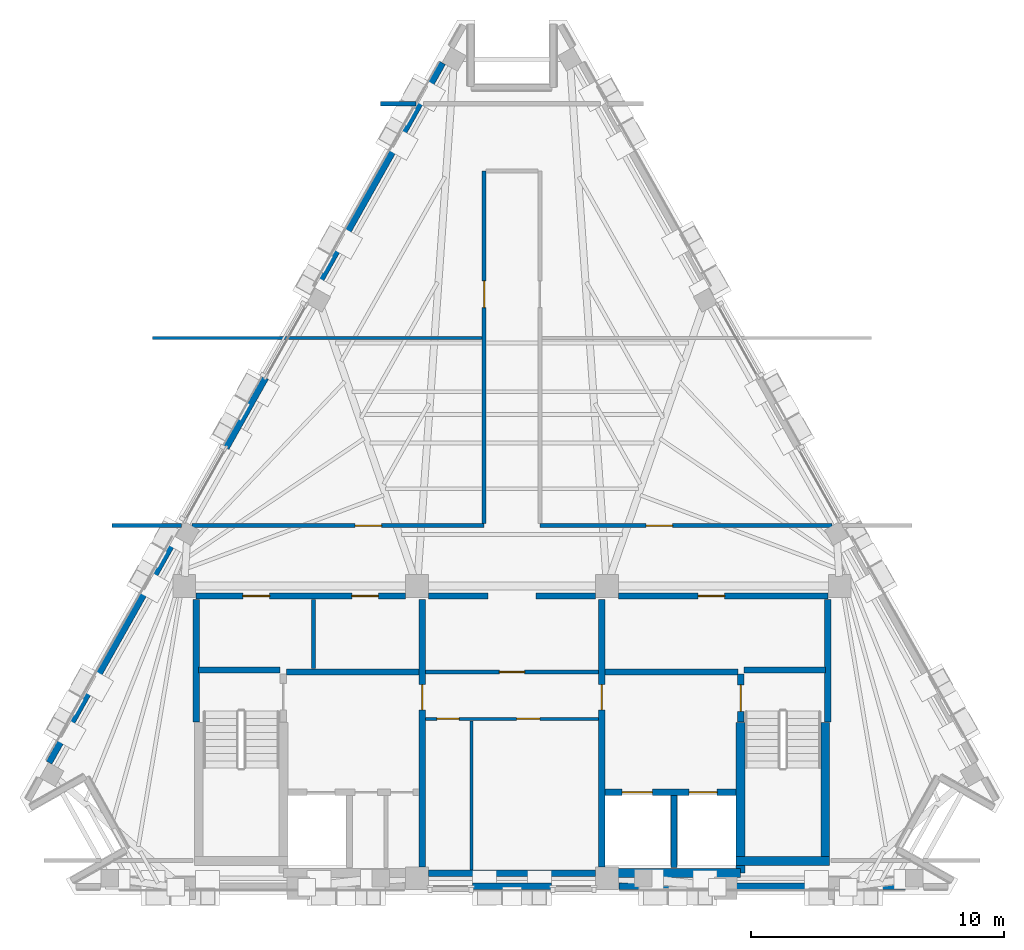
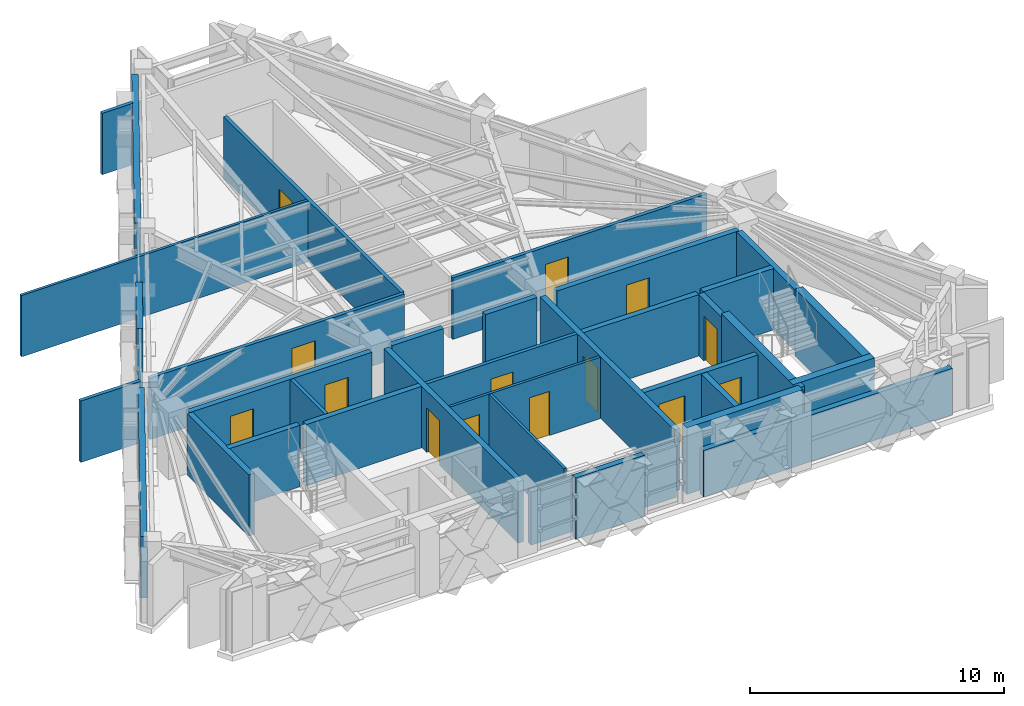
# One storey, part 5 of 8: 35 walls, 14 doors, 14 openings.
"""IFC4 building model written with IfcOpenShell, lengths in metres."""

from ifc_helpers import new_model, si_unit, direction, frame, frame_2d, origin, place, context, subcontext, project, spatial, rectangle, extrude, material, layer, layer_set, type_object, element, fill, save


model = new_model("IFC4")

# Units and contexts
model_context = context("Model", 3, precision=1e-05, world=origin(), true_north=direction((0.0, 1.0)))
body_context = subcontext(model_context, "Body", "Model", "MODEL_VIEW")
ifc_project = project(units=[si_unit("LENGTHUNIT", "METRE"), si_unit("AREAUNIT", "SQUARE_METRE"), si_unit("VOLUMEUNIT", "CUBIC_METRE"), si_unit("PLANEANGLEUNIT", "RADIAN"), si_unit("MASSUNIT", "GRAM", prefix="KILO")], contexts=[model_context])

# Site, building, storey
site_placement = place(None, origin())
site = spatial("IfcSite", under=ifc_project, at=site_placement, CompositionType="ELEMENT")
building_placement = place(site_placement, origin())
building = spatial("IfcBuilding", under=site, at=building_placement, Name="Quenlor Broadcast Tower", CompositionType="ELEMENT")
storey_placement = place(building_placement, frame((0.0, 0.0, 283.699951171875)))
storey = spatial("IfcBuildingStorey", under=building, at=storey_placement, Name="L79", CompositionType="ELEMENT", Elevation=283.699951171875)

# Walls
ifc_material_1 = material(Name="Concrete C50/60", Category="concrete")
ifc_layer_1 = layer(ifc_material_1, 0.35009765625)
ifc_layer_set_1 = layer_set([ifc_layer_1], Name="Core Concrete C50/60 Shear Wall 350")
wall_type_1 = type_object("IfcWallType", Name="Core Concrete C50/60 Shear Wall 350", PredefinedType="SHEAR", material=ifc_layer_set_1)
wall_1_placement = place(storey_placement, frame((3.75, -16.14990234375, 0.0), z_axis=(0.0, 0.0, 1.0), x_axis=(1.0, 0.0, 0.0)))
element("IfcWall", 1, at=wall_1_placement, inside=storey, type_object=wall_type_1, Name="L79 Core Shear Wall WS-E1", PredefinedType="SHEAR", context=body_context, shape_type="SweptSolid", body=[
    extrude(rectangle(XDim=5.27490234375, YDim=0.35009765625, at=frame_2d((2.637451171875, 0.0))), origin(), (0.0, 0.0, 1.0), 3.199951171875),
])
wall_2_placement = place(storey_placement, frame((8.85009765625, -15.675048828125, 0.0), z_axis=(0.0, 0.0, 1.0), x_axis=(1.0, 0.0, 0.0)))
element("IfcWall", 2, at=wall_2_placement, inside=storey, type_object=wall_type_1, Name="L79 Core Shear Wall WS-E2", PredefinedType="SHEAR", context=body_context, shape_type="SweptSolid", body=[
    extrude(rectangle(XDim=3.699951171875, YDim=0.35009765625, at=frame_2d((1.85009765625, 0.0))), origin(), (0.0, 0.0, 1.0), 3.199951171875),
])
wall_3_placement = place(storey_placement, frame((12.375, -15.675048828125, 0.0), z_axis=(0.0, 0.0, 1.0), x_axis=(0.0, 1.0, 0.0)))
element("IfcWall", 3, at=wall_3_placement, inside=storey, type_object=wall_type_1, Name="L79 Core Shear Wall WF-E", PredefinedType="SHEAR", context=body_context, shape_type="SweptSolid", body=[
    extrude(rectangle(XDim=5.47509765625, YDim=0.35009765625, at=frame_2d((2.737548828125, 0.0))), origin(), (0.0, 0.0, 1.0), 3.199951171875),
])
wall_4_placement = place(storey_placement, frame((9.02490234375, -16.14990234375, 0.0), z_axis=(0.0, 0.0, 1.0), x_axis=(0.0, 1.0, 0.0)))
element("IfcWall", 4, at=wall_4_placement, inside=storey, type_object=wall_type_1, Name="L79 Core Shear Wall WI-E", PredefinedType="SHEAR", context=body_context, shape_type="SweptSolid", body=[
    extrude(rectangle(XDim=5.949951171875, YDim=0.35009765625, at=frame_2d((2.97509765625, 0.0))), origin(), (0.0, 0.0, 1.0), 3.199951171875),
])

# Wall, opening, door
ifc_material_2 = material(Name="Concrete C40/50", Category="concrete")
ifc_layer_2 = layer(ifc_material_2, 0.25)
ifc_layer_set_2 = layer_set([ifc_layer_2], Name="Fire Rated Concrete C40/50 Core Wall 250")
wall_type_2 = type_object("IfcWallType", Name="Fire Rated Concrete C40/50 Core Wall 250", PredefinedType="PARTITIONING", material=ifc_layer_set_2)
wall_5_placement = place(storey_placement, frame((9.0400390625, -10.179931640625, 0.0), z_axis=(0.0, 0.0, 1.0), x_axis=(0.0, 1.0, 0.0)))
wall_5 = element("IfcWall", 5, at=wall_5_placement, inside=storey, type_object=wall_type_2, Name="L79 Interior Wall CW-ST2-DR", PredefinedType="PARTITIONING", context=body_context, shape_type="SweptSolid", body=[
    extrude(rectangle(XDim=1.89990234375, YDim=0.25, at=frame_2d((0.949951171875, 0.0))), origin(), (0.0, 0.0, 1.0), 2.949951171875),
])
opening_1_placement = place(wall_5_placement, frame((0.419921875, 0.0, 0.0)))
opening_1 = element("IfcOpeningElement", 6, at=opening_1_placement, cuts=wall_5, Name="Opening FD-1", PredefinedType="OPENING", context=body_context, shape_type="SweptSolid", body=[
    extrude(rectangle(XDim=1.050048828125, YDim=2.14990234375, at=frame_2d((0.52490234375, 1.074951171875))), frame((0.0, 0.135009765625, 0.0), z_axis=(0.0, -1.0, 0.0), x_axis=(1.0, 0.0, 0.0)), (0.0, 0.0, 1.0), 0.27001953125),
])
ifc_material_3 = material(Name="Fire Rated Steel Door Leaf", Category="steel")
door_type_1 = type_object("IfcDoorType", Name="Fire Isolated Stair Door 1050x2150", OperationType="NOTDEFINED", PredefinedType="DOOR", material=ifc_material_3)
door_1_placement = place(opening_1_placement, origin())
door_1 = element("IfcDoor", 7, at=door_1_placement, inside=storey, type_object=door_type_1, Name="L79 Door DR-ST2", OperationType="SINGLE_SWING_RIGHT", OverallHeight=2.14990234375, OverallWidth=1.050048828125, PredefinedType="DOOR", context=body_context, shape_type="SweptSolid", body=[
    extrude(rectangle(XDim=1.050048828125, YDim=2.14990234375, at=frame_2d((0.52490234375, 1.074951171875))), frame((0.0, 0.02490234375, 0.0), z_axis=(0.0, -1.0, 0.0), x_axis=(1.0, 0.0, 0.0)), (0.0, 0.0, 1.0), 0.050048828125),
])
fill(opening_1, door_1)

# Walls
for number, where, z_axis, x_axis, name in (
    (8, (-12.3798828125, -8.1201171875, 0.0), (0.0, 0.0, 1.0), (1.0, 0.0, 0.0), "L79 Interior Wall CW-ST1-N"),
    (9, (9.159912109375, -8.1201171875, 0.0), (0.0, 0.0, 1.0), (1.0, 0.0, 0.0), "L79 Interior Wall CW-ST2-N"),
):
    element("IfcWall", number, at=place(storey_placement, frame(where, z_axis=z_axis, x_axis=x_axis)), inside=storey, type_object=wall_type_2, Name=name, PredefinedType="PARTITIONING", context=body_context, shape_type="SweptSolid", body=[
        extrude(rectangle(XDim=3.219970703125, YDim=0.25, at=frame_2d((1.60986328125, 0.0))), origin(), (0.0, 0.0, 1.0), 2.949951171875),
    ])
for number, where, z_axis, x_axis, name in (
    (10, (-12.47998046875, -10.179931640625, 0.0), (0.0, 0.0, 1.0), (0.0, 1.0, 0.0), "L79 Interior Wall CW-ST1-W2"),
    (11, (12.47998046875, -10.179931640625, 0.0), (0.0, 0.0, 1.0), (0.0, 1.0, 0.0), "L79 Interior Wall CW-ST2-E2"),
):
    element("IfcWall", number, at=place(storey_placement, frame(where, z_axis=z_axis, x_axis=x_axis)), inside=storey, type_object=wall_type_2, Name=name, PredefinedType="PARTITIONING", context=body_context, shape_type="SweptSolid", body=[
        extrude(rectangle(XDim=4.83984375, YDim=0.25, at=frame_2d((2.419921875, 0.0))), origin(), (0.0, 0.0, 1.0), 2.949951171875),
    ])

# Wall, openings, doors
wall_6_placement = place(storey_placement, frame((3.679931640625, -12.949951171875, 0.0), z_axis=(0.0, 0.0, 1.0), x_axis=(1.0, 0.0, 0.0)))
wall_6 = element("IfcWall", 12, at=wall_6_placement, inside=storey, type_object=wall_type_2, Name="L79 Interior Wall CW-FFE-S", PredefinedType="PARTITIONING", context=body_context, shape_type="SweptSolid", body=[
    extrude(rectangle(XDim=5.16796875, YDim=0.25, at=frame_2d((2.583984375, 0.0))), origin(), (0.0, 0.0, 1.0), 2.949951171875),
])
opening_2_placement = place(wall_6_placement, frame((3.320068359375, 0.0, 0.0)))
opening_2 = element("IfcOpeningElement", 13, at=opening_2_placement, cuts=wall_6, Name="Opening LD-FFL-2", PredefinedType="OPENING", context=body_context, shape_type="SweptSolid", body=[
    extrude(rectangle(XDim=1.10009765625, YDim=2.14990234375, at=frame_2d((0.550048828125, 1.074951171875))), frame((0.0, 0.135009765625, 0.0), z_axis=(0.0, -1.0, 0.0), x_axis=(1.0, 0.0, 0.0)), (0.0, 0.0, 1.0), 0.27001953125),
])
opening_3_placement = place(wall_6_placement, frame((0.669921875, 0.0, 0.0)))
opening_3 = element("IfcOpeningElement", 14, at=opening_3_placement, cuts=wall_6, Name="Opening LD-SVL-1", PredefinedType="OPENING", context=body_context, shape_type="SweptSolid", body=[
    extrude(rectangle(XDim=1.199951171875, YDim=2.14990234375, at=frame_2d((0.60009765625, 1.074951171875))), frame((0.0, 0.135009765625, 0.0), z_axis=(0.0, -1.0, 0.0), x_axis=(1.0, 0.0, 0.0)), (0.0, 0.0, 1.0), 0.27001953125),
])
ifc_material_4 = material(Name="Brushed Stainless Steel", Category="steel")
door_type_2 = type_object("IfcDoorType", Name="Emergency Lift Sliding Landing Door 1100x2150", OperationType="NOTDEFINED", PredefinedType="DOOR", material=ifc_material_4)
door_2_placement = place(opening_2_placement, origin())
door_2 = element("IfcDoor", 15, at=door_2_placement, inside=storey, type_object=door_type_2, Name="L79 Door LD-FFL-2", OperationType="SLIDING_TO_RIGHT", OverallHeight=2.14990234375, OverallWidth=1.10009765625, PredefinedType="DOOR", context=body_context, shape_type="SweptSolid", body=[
    extrude(rectangle(XDim=1.10009765625, YDim=2.14990234375, at=frame_2d((0.550048828125, 1.074951171875))), frame((0.0, 0.02490234375, 0.0), z_axis=(0.0, -1.0, 0.0), x_axis=(1.0, 0.0, 0.0)), (0.0, 0.0, 1.0), 0.050048828125),
])
fill(opening_2, door_2)
ifc_material_5 = material(Name="Brushed Stainless Steel", Category="steel")
door_type_3 = type_object("IfcDoorType", Name="Goods Lift Sliding Landing Door 1200x2150", OperationType="NOTDEFINED", PredefinedType="DOOR", material=ifc_material_5)
door_3_placement = place(opening_3_placement, origin())
door_3 = element("IfcDoor", 16, at=door_3_placement, inside=storey, type_object=door_type_3, Name="L79 Door LD-SVL-1", OperationType="SLIDING_TO_LEFT", OverallHeight=2.14990234375, OverallWidth=1.199951171875, PredefinedType="DOOR", context=body_context, shape_type="SweptSolid", body=[
    extrude(rectangle(XDim=1.199951171875, YDim=2.14990234375, at=frame_2d((0.60009765625, 1.074951171875))), frame((0.0, 0.02490234375, 0.0), z_axis=(0.0, -1.0, 0.0), x_axis=(1.0, 0.0, 0.0)), (0.0, 0.0, 1.0), 0.050048828125),
])
fill(opening_3, door_3)

# Walls
wall_7_placement = place(storey_placement, frame((6.39990234375, -15.919921875, 0.0), z_axis=(0.0, 0.0, 1.0), x_axis=(0.0, 1.0, 0.0)))
element("IfcWall", 17, at=wall_7_placement, inside=storey, type_object=wall_type_2, Name="L79 Interior Wall CW-SV1-E", PredefinedType="PARTITIONING", context=body_context, shape_type="SweptSolid", body=[
    extrude(rectangle(XDim=2.829833984375, YDim=0.25, at=frame_2d((1.4150390625, 0.0))), origin(), (0.0, 0.0, 1.0), 2.949951171875),
])
for number, where, z_axis, x_axis, name in (
    (18, (-8.919921875, -8.199951171875, 0.0), (0.0, 0.0, 1.0), (1.0, 0.0, 0.0), "L79 Interior Wall CW-FFW-N"),
    (19, (3.679931640625, -8.199951171875, 0.0), (0.0, 0.0, 1.0), (1.0, 0.0, 0.0), "L79 Interior Wall CW-FFE-N"),
):
    element("IfcWall", number, at=place(storey_placement, frame(where, z_axis=z_axis, x_axis=x_axis)), inside=storey, type_object=wall_type_2, Name=name, PredefinedType="PARTITIONING", context=body_context, shape_type="SweptSolid", body=[
        extrude(rectangle(XDim=5.239990234375, YDim=0.25, at=frame_2d((2.6201171875, 0.0))), origin(), (0.0, 0.0, 1.0), 2.949951171875),
    ])

# Wall, opening, door
wall_8_placement = place(storey_placement, frame((-3.550048828125, -15.89794921875, 0.0), z_axis=(0.0, 0.0, 1.0), x_axis=(0.0, 1.0, 0.0)))
wall_8 = element("IfcWall", 20, at=wall_8_placement, inside=storey, type_object=wall_type_2, Name="L79 Interior Wall CW-FFW-E", PredefinedType="PARTITIONING", context=body_context, shape_type="SweptSolid", body=[
    extrude(rectangle(XDim=10.557861328125, YDim=0.25, at=frame_2d((5.27880859375, 0.0))), origin(), (0.0, 0.0, 1.0), 2.949951171875),
])
opening_4_placement = place(wall_8_placement, frame((6.197998046875, 0.0, 0.0)))
opening_4 = element("IfcOpeningElement", 21, at=opening_4_placement, cuts=wall_8, Name="Opening FD-2", PredefinedType="OPENING", context=body_context, shape_type="SweptSolid", body=[
    extrude(rectangle(XDim=1.0, YDim=2.14990234375, at=frame_2d((0.5, 1.074951171875))), frame((0.0, 0.135009765625, 0.0), z_axis=(0.0, -1.0, 0.0), x_axis=(1.0, 0.0, 0.0)), (0.0, 0.0, 1.0), 0.27001953125),
])
ifc_material_6 = material(Name="Fire Rated Glazed Steel Door", Category="steel")
door_type_4 = type_object("IfcDoorType", Name="Firefighting Lobby Smoke Door 1000x2150", OperationType="NOTDEFINED", PredefinedType="DOOR", material=ifc_material_6)
door_4_placement = place(opening_4_placement, origin())
door_4 = element("IfcDoor", 22, at=door_4_placement, inside=storey, type_object=door_type_4, Name="L79 Door DR-FFLW", OperationType="SINGLE_SWING_RIGHT", OverallHeight=2.14990234375, OverallWidth=1.0, PredefinedType="DOOR", context=body_context, shape_type="SweptSolid", body=[
    extrude(rectangle(XDim=1.0, YDim=2.14990234375, at=frame_2d((0.5, 1.074951171875))), frame((0.0, 0.02490234375, 0.0), z_axis=(0.0, -1.0, 0.0), x_axis=(1.0, 0.0, 0.0)), (0.0, 0.0, 1.0), 0.050048828125),
])
fill(opening_4, door_4)

wall_9_placement = place(storey_placement, frame((3.550048828125, -15.89794921875, 0.0), z_axis=(0.0, 0.0, 1.0), x_axis=(0.0, 1.0, 0.0)))
wall_9 = element("IfcWall", 23, at=wall_9_placement, inside=storey, type_object=wall_type_2, Name="L79 Interior Wall CW-FFE-W", PredefinedType="PARTITIONING", context=body_context, shape_type="SweptSolid", body=[
    extrude(rectangle(XDim=10.557861328125, YDim=0.25, at=frame_2d((5.27880859375, 0.0))), origin(), (0.0, 0.0, 1.0), 2.949951171875),
])
opening_5_placement = place(wall_9_placement, frame((6.197998046875, 0.0, 0.0)))
opening_5 = element("IfcOpeningElement", 24, at=opening_5_placement, cuts=wall_9, Name="Opening FD-2", PredefinedType="OPENING", context=body_context, shape_type="SweptSolid", body=[
    extrude(rectangle(XDim=1.0, YDim=2.14990234375, at=frame_2d((0.5, 1.074951171875))), frame((0.0, 0.135009765625, 0.0), z_axis=(0.0, -1.0, 0.0), x_axis=(1.0, 0.0, 0.0)), (0.0, 0.0, 1.0), 0.27001953125),
])
door_5_placement = place(opening_5_placement, origin())
door_5 = element("IfcDoor", 25, at=door_5_placement, inside=storey, type_object=door_type_4, Name="L79 Door DR-FFLE", OperationType="SINGLE_SWING_LEFT", OverallHeight=2.14990234375, OverallWidth=1.0, PredefinedType="DOOR", context=body_context, shape_type="SweptSolid", body=[
    extrude(rectangle(XDim=1.0, YDim=2.14990234375, at=frame_2d((0.5, 1.074951171875))), frame((0.0, 0.02490234375, 0.0), z_axis=(0.0, -1.0, 0.0), x_axis=(1.0, 0.0, 0.0)), (0.0, 0.0, 1.0), 0.050048828125),
])
fill(opening_5, door_5)

# Wall, openings, doors
wall_10_placement = place(storey_placement, frame((-12.47998046875, -5.199951171875, 0.0), z_axis=(0.0, 0.0, 1.0), x_axis=(1.0, 0.0, 0.0)))
wall_10 = element("IfcWall", 26, at=wall_10_placement, inside=storey, type_object=wall_type_2, Name="L79 Interior Wall CW-N-W", PredefinedType="PARTITIONING", context=body_context, shape_type="SweptSolid", body=[
    extrude(rectangle(XDim=8.278076171875, YDim=0.25, at=frame_2d((4.13916015625, 0.0))), origin(), (0.0, 0.0, 1.0), 2.949951171875),
])
opening_6_placement = place(wall_10_placement, frame((1.85009765625, 0.0, 0.0)))
opening_6 = element("IfcOpeningElement", 27, at=opening_6_placement, cuts=wall_10, Name="Opening FD-3", PredefinedType="OPENING", context=body_context, shape_type="SweptSolid", body=[
    extrude(rectangle(XDim=1.050048828125, YDim=2.1201171875, at=frame_2d((0.52490234375, 1.06005859375))), frame((0.0, 0.135009765625, 0.0), z_axis=(0.0, -1.0, 0.0), x_axis=(1.0, 0.0, 0.0)), (0.0, 0.0, 1.0), 0.27001953125),
])
opening_7_placement = place(wall_10_placement, frame((6.14990234375, 0.0, 0.0)))
opening_7 = element("IfcOpeningElement", 28, at=opening_7_placement, cuts=wall_10, Name="Opening FD-3", PredefinedType="OPENING", context=body_context, shape_type="SweptSolid", body=[
    extrude(rectangle(XDim=1.050048828125, YDim=2.1201171875, at=frame_2d((0.52490234375, 1.06005859375))), frame((0.0, 0.135009765625, 0.0), z_axis=(0.0, -1.0, 0.0), x_axis=(1.0, 0.0, 0.0)), (0.0, 0.0, 1.0), 0.27001953125),
])
ifc_material_7 = material(Name="Galvanised Fire Steel Leaf", Category="steel")
door_type_5 = type_object("IfcDoorType", Name="Plant Room Fire Rated Door 1050x2120", OperationType="NOTDEFINED", PredefinedType="DOOR", material=ifc_material_7)
door_6_placement = place(opening_6_placement, origin())
door_6 = element("IfcDoor", 29, at=door_6_placement, inside=storey, type_object=door_type_5, Name="L79 Door DR-RCL1", OperationType="SINGLE_SWING_LEFT", OverallHeight=2.1201171875, OverallWidth=1.050048828125, PredefinedType="DOOR", context=body_context, shape_type="SweptSolid", body=[
    extrude(rectangle(XDim=1.050048828125, YDim=2.1201171875, at=frame_2d((0.52490234375, 1.06005859375))), frame((0.0, 0.02490234375, 0.0), z_axis=(0.0, -1.0, 0.0), x_axis=(1.0, 0.0, 0.0)), (0.0, 0.0, 1.0), 0.050048828125),
])
fill(opening_6, door_6)
door_7_placement = place(opening_7_placement, origin())
door_7 = element("IfcDoor", 30, at=door_7_placement, inside=storey, type_object=door_type_5, Name="L79 Door DR-RCL2", OperationType="SINGLE_SWING_RIGHT", OverallHeight=2.1201171875, OverallWidth=1.050048828125, PredefinedType="DOOR", context=body_context, shape_type="SweptSolid", body=[
    extrude(rectangle(XDim=1.050048828125, YDim=2.1201171875, at=frame_2d((0.52490234375, 1.06005859375))), frame((0.0, 0.02490234375, 0.0), z_axis=(0.0, -1.0, 0.0), x_axis=(1.0, 0.0, 0.0)), (0.0, 0.0, 1.0), 0.050048828125),
])
fill(opening_7, door_7)

# Wall, opening, door
wall_11_placement = place(storey_placement, frame((4.201904296875, -5.199951171875, 0.0), z_axis=(0.0, 0.0, 1.0), x_axis=(1.0, 0.0, 0.0)))
wall_11 = element("IfcWall", 31, at=wall_11_placement, inside=storey, type_object=wall_type_2, Name="L79 Interior Wall CW-N-E", PredefinedType="PARTITIONING", context=body_context, shape_type="SweptSolid", body=[
    extrude(rectangle(XDim=8.278076171875, YDim=0.25, at=frame_2d((4.13916015625, 0.0))), origin(), (0.0, 0.0, 1.0), 2.949951171875),
])
opening_8_placement = place(wall_11_placement, frame((3.14794921875, 0.0, 0.0)))
opening_8 = element("IfcOpeningElement", 32, at=opening_8_placement, cuts=wall_11, Name="Opening FD-3", PredefinedType="OPENING", context=body_context, shape_type="SweptSolid", body=[
    extrude(rectangle(XDim=1.050048828125, YDim=2.1201171875, at=frame_2d((0.52490234375, 1.06005859375))), frame((0.0, 0.135009765625, 0.0), z_axis=(0.0, -1.0, 0.0), x_axis=(1.0, 0.0, 0.0)), (0.0, 0.0, 1.0), 0.27001953125),
])
door_8_placement = place(opening_8_placement, origin())
door_8 = element("IfcDoor", 33, at=door_8_placement, inside=storey, type_object=door_type_5, Name="L79 Door DR-RCH1", OperationType="SINGLE_SWING_RIGHT", OverallHeight=2.1201171875, OverallWidth=1.050048828125, PredefinedType="DOOR", context=body_context, shape_type="SweptSolid", body=[
    extrude(rectangle(XDim=1.050048828125, YDim=2.1201171875, at=frame_2d((0.52490234375, 1.06005859375))), frame((0.0, 0.02490234375, 0.0), z_axis=(0.0, -1.0, 0.0), x_axis=(1.0, 0.0, 0.0)), (0.0, 0.0, 1.0), 0.050048828125),
])
fill(opening_8, door_8)

# Walls
for number, where, z_axis, x_axis, name in (
    (34, (-3.298095703125, -5.199951171875, 0.0), (0.0, 0.0, 1.0), (1.0, 0.0, 0.0), "L79 Interior Wall CW-N-M1"),
    (35, (0.949951171875, -5.199951171875, 0.0), (0.0, 0.0, 1.0), (1.0, 0.0, 0.0), "L79 Interior Wall CW-N-M2"),
):
    element("IfcWall", number, at=place(storey_placement, frame(where, z_axis=z_axis, x_axis=x_axis)), inside=storey, type_object=wall_type_2, Name=name, PredefinedType="PARTITIONING", context=body_context, shape_type="SweptSolid", body=[
        extrude(rectangle(XDim=2.34814453125, YDim=0.25, at=frame_2d((1.174072265625, 0.0))), origin(), (0.0, 0.0, 1.0), 2.949951171875),
    ])
wall_12_placement = place(storey_placement, frame((-3.298095703125, -16.14990234375, 0.0), z_axis=(0.0, 0.0, 1.0), x_axis=(1.0, 0.0, 0.0)))
element("IfcWall", 36, at=wall_12_placement, inside=storey, type_object=wall_type_2, Name="L79 Interior Wall CW-MS-S", PredefinedType="PARTITIONING", context=body_context, shape_type="SweptSolid", body=[
    extrude(rectangle(XDim=6.59619140625, YDim=0.25, at=frame_2d((3.298095703125, 0.0))), origin(), (0.0, 0.0, 1.0), 2.543701171875),
])
ifc_material_8 = material(Name="Gypsum Fireboard Partition", Category="other")
ifc_layer_3 = layer(ifc_material_8, 0.159912109375)
ifc_layer_set_3 = layer_set([ifc_layer_3], Name="Fire Rated Shaft and Corridor Partition 160")
wall_type_3 = type_object("IfcWallType", Name="Fire Rated Shaft and Corridor Partition 160", PredefinedType="PARTITIONING", material=ifc_layer_set_3)
wall_13_placement = place(storey_placement, frame((-7.85009765625, -8.072998046875, 0.0), z_axis=(0.0, 0.0, 1.0), x_axis=(0.0, 1.0, 0.0)))
element("IfcWall", 37, at=wall_13_placement, inside=storey, type_object=wall_type_3, Name="L79 Interior Wall CW-RCL-MID", PredefinedType="PARTITIONING", context=body_context, shape_type="SweptSolid", body=[
    extrude(rectangle(XDim=2.73291015625, YDim=0.159912109375, at=frame_2d((1.366455078125, 0.0))), origin(), (0.0, 0.0, 1.0), 2.949951171875),
])

# Wall, opening, door
wall_14_placement = place(storey_placement, frame((-3.419921875, -8.199951171875, 0.0), z_axis=(0.0, 0.0, 1.0), x_axis=(1.0, 0.0, 0.0)))
wall_14 = element("IfcWall", 38, at=wall_14_placement, inside=storey, type_object=wall_type_3, Name="L79 Interior Wall CW-M-BACK", PredefinedType="PARTITIONING", context=body_context, shape_type="SweptSolid", body=[
    extrude(rectangle(XDim=6.83984375, YDim=0.159912109375, at=frame_2d((3.419921875, 0.0))), origin(), (0.0, 0.0, 1.0), 2.949951171875),
])
opening_9_placement = place(wall_14_placement, frame((2.919921875, 0.0, 0.0)))
opening_9 = element("IfcOpeningElement", 39, at=opening_9_placement, cuts=wall_14, Name="Opening FD-2", PredefinedType="OPENING", context=body_context, shape_type="SweptSolid", body=[
    extrude(rectangle(XDim=1.0, YDim=2.14990234375, at=frame_2d((0.5, 1.074951171875))), frame((0.0, 0.08984375, 0.0), z_axis=(0.0, -1.0, 0.0), x_axis=(1.0, 0.0, 0.0)), (0.0, 0.0, 1.0), 0.179931640625),
])
door_9_placement = place(opening_9_placement, origin())
door_9 = element("IfcDoor", 40, at=door_9_placement, inside=storey, type_object=door_type_4, Name="L79 Door DR-CCRP", OperationType="SINGLE_SWING_LEFT", OverallHeight=2.14990234375, OverallWidth=1.0, PredefinedType="DOOR", context=body_context, shape_type="SweptSolid", body=[
    extrude(rectangle(XDim=1.0, YDim=2.14990234375, at=frame_2d((0.5, 1.074951171875))), frame((0.0, 0.02490234375, 0.0), z_axis=(0.0, -1.0, 0.0), x_axis=(1.0, 0.0, 0.0)), (0.0, 0.0, 1.0), 0.050048828125),
])
fill(opening_9, door_9)

# Walls
wall_15_placement = place(storey_placement, frame((-5.199951171875, 14.25, 0.0), z_axis=(0.0, 0.0, 1.0), x_axis=(1.0, 0.0, 0.0)))
element("IfcWall", 41, at=wall_15_placement, inside=storey, type_object=wall_type_3, Name="L79 Interior Wall PW-PL-NTOP", PredefinedType="PARTITIONING", context=body_context, shape_type="SweptSolid", body=[
    extrude(rectangle(XDim=1.399658203125, YDim=0.159912109375, at=frame_2d((0.69970703125, 0.0))), origin(), (0.0, 0.0, 1.0), 2.949951171875),
])
wall_16_placement = place(storey_placement, frame((-15.800048828125, -2.419921875, 0.0), z_axis=(0.0, 0.0, 1.0), x_axis=(1.0, 0.0, 0.0)))
element("IfcWall", 42, at=wall_16_placement, inside=storey, type_object=wall_type_3, Name="L79 Interior Wall PW-PL-HW", PredefinedType="PARTITIONING", context=body_context, shape_type="SweptSolid", body=[
    extrude(rectangle(XDim=2.7431640625, YDim=0.159912109375, at=frame_2d((1.37158203125, 0.0))), origin(), (0.0, 0.0, 1.0), 2.949951171875),
])

# Wall, opening, door
wall_17_placement = place(storey_placement, frame((-12.65283203125, -2.419921875, 0.0), z_axis=(0.0, 0.0, 1.0), x_axis=(1.0, 0.0, 0.0)))
wall_17 = element("IfcWall", 43, at=wall_17_placement, inside=storey, type_object=wall_type_3, Name="L79 Interior Wall PW-PL-HWS2", PredefinedType="PARTITIONING", context=body_context, shape_type="SweptSolid", body=[
    extrude(rectangle(XDim=11.552734375, YDim=0.159912109375, at=frame_2d((5.7763671875, 0.0))), origin(), (0.0, 0.0, 1.0), 2.949951171875),
])
opening_10_placement = place(wall_17_placement, frame((6.452880859375, 0.0, 0.0)))
opening_10 = element("IfcOpeningElement", 44, at=opening_10_placement, cuts=wall_17, Name="Opening FD-3", PredefinedType="OPENING", context=body_context, shape_type="SweptSolid", body=[
    extrude(rectangle(XDim=1.050048828125, YDim=2.1201171875, at=frame_2d((0.52490234375, 1.06005859375))), frame((0.0, 0.08984375, 0.0), z_axis=(0.0, -1.0, 0.0), x_axis=(1.0, 0.0, 0.0)), (0.0, 0.0, 1.0), 0.179931640625),
])
door_10_placement = place(opening_10_placement, origin())
door_10 = element("IfcDoor", 45, at=door_10_placement, inside=storey, type_object=door_type_5, Name="L79 Door DR-PLT1", OperationType="SINGLE_SWING_LEFT", OverallHeight=2.1201171875, OverallWidth=1.050048828125, PredefinedType="DOOR", context=body_context, shape_type="SweptSolid", body=[
    extrude(rectangle(XDim=1.050048828125, YDim=2.1201171875, at=frame_2d((0.52490234375, 1.06005859375))), frame((0.0, 0.02490234375, 0.0), z_axis=(0.0, -1.0, 0.0), x_axis=(1.0, 0.0, 0.0)), (0.0, 0.0, 1.0), 0.050048828125),
])
fill(opening_10, door_10)

wall_18_placement = place(storey_placement, frame((1.10009765625, -2.419921875, 0.0), z_axis=(0.0, 0.0, 1.0), x_axis=(1.0, 0.0, 0.0)))
wall_18 = element("IfcWall", 46, at=wall_18_placement, inside=storey, type_object=wall_type_3, Name="L79 Interior Wall PW-PL-HE", PredefinedType="PARTITIONING", context=body_context, shape_type="SweptSolid", body=[
    extrude(rectangle(XDim=11.552734375, YDim=0.159912109375, at=frame_2d((5.7763671875, 0.0))), origin(), (0.0, 0.0, 1.0), 2.949951171875),
])
opening_11_placement = place(wall_18_placement, frame((4.199951171875, 0.0, 0.0)))
opening_11 = element("IfcOpeningElement", 47, at=opening_11_placement, cuts=wall_18, Name="Opening FD-3", PredefinedType="OPENING", context=body_context, shape_type="SweptSolid", body=[
    extrude(rectangle(XDim=1.050048828125, YDim=2.1201171875, at=frame_2d((0.52490234375, 1.06005859375))), frame((0.0, 0.08984375, 0.0), z_axis=(0.0, -1.0, 0.0), x_axis=(1.0, 0.0, 0.0)), (0.0, 0.0, 1.0), 0.179931640625),
])
door_11_placement = place(opening_11_placement, origin())
door_11 = element("IfcDoor", 48, at=door_11_placement, inside=storey, type_object=door_type_5, Name="L79 Door DR-PLT2", OperationType="SINGLE_SWING_RIGHT", OverallHeight=2.1201171875, OverallWidth=1.050048828125, PredefinedType="DOOR", context=body_context, shape_type="SweptSolid", body=[
    extrude(rectangle(XDim=1.050048828125, YDim=2.1201171875, at=frame_2d((0.52490234375, 1.06005859375))), frame((0.0, 0.02490234375, 0.0), z_axis=(0.0, -1.0, 0.0), x_axis=(1.0, 0.0, 0.0)), (0.0, 0.0, 1.0), 0.050048828125),
])
fill(opening_11, door_11)

wall_19_placement = place(storey_placement, frame((-1.10009765625, -2.337890625, 0.0), z_axis=(0.0, 0.0, 1.0), x_axis=(0.0, 1.0, 0.0)))
wall_19 = element("IfcWall", 49, at=wall_19_placement, inside=storey, type_object=wall_type_3, Name="L79 Interior Wall PW-PL-SW", PredefinedType="PARTITIONING", context=body_context, shape_type="SweptSolid", body=[
    extrude(rectangle(XDim=13.93798828125, YDim=0.159912109375, at=frame_2d((6.968994140625, 0.0))), origin(), (0.0, 0.0, 1.0), 2.949951171875),
])
opening_12_placement = place(wall_19_placement, frame((8.5380859375, 0.0, 0.0)))
opening_12 = element("IfcOpeningElement", 50, at=opening_12_placement, cuts=wall_19, Name="Opening FD-3", PredefinedType="OPENING", context=body_context, shape_type="SweptSolid", body=[
    extrude(rectangle(XDim=1.050048828125, YDim=2.1201171875, at=frame_2d((0.52490234375, 1.06005859375))), frame((0.0, 0.08984375, 0.0), z_axis=(0.0, -1.0, 0.0), x_axis=(1.0, 0.0, 0.0)), (0.0, 0.0, 1.0), 0.179931640625),
])
door_12_placement = place(opening_12_placement, origin())
door_12 = element("IfcDoor", 51, at=door_12_placement, inside=storey, type_object=door_type_5, Name="L79 Door DR-PLT3", OperationType="SINGLE_SWING_LEFT", OverallHeight=2.1201171875, OverallWidth=1.050048828125, PredefinedType="DOOR", context=body_context, shape_type="SweptSolid", body=[
    extrude(rectangle(XDim=1.050048828125, YDim=2.1201171875, at=frame_2d((0.52490234375, 1.06005859375))), frame((0.0, 0.02490234375, 0.0), z_axis=(0.0, -1.0, 0.0), x_axis=(1.0, 0.0, 0.0)), (0.0, 0.0, 1.0), 0.050048828125),
])
fill(opening_12, door_12)

# Wall, openings, doors
ifc_material_9 = material(Name="Gypsum Plasterboard Partition", Category="other")
ifc_layer_4 = layer(ifc_material_9, 0.1201171875)
ifc_layer_set_4 = layer_set([ifc_layer_4], Name="Standard Office Partition 120")
wall_type_4 = type_object("IfcWallType", Name="Standard Office Partition 120", PredefinedType="PARTITIONING", material=ifc_layer_set_4)
wall_20_placement = place(storey_placement, frame((-3.419921875, -10.050048828125, 0.0), z_axis=(0.0, 0.0, 1.0), x_axis=(1.0, 0.0, 0.0)))
wall_20 = element("IfcWall", 52, at=wall_20_placement, inside=storey, type_object=wall_type_4, Name="L79 Interior Wall CW-MS-N", PredefinedType="PARTITIONING", context=body_context, shape_type="SweptSolid", body=[
    extrude(rectangle(XDim=6.83984375, YDim=0.1201171875, at=frame_2d((3.419921875, 0.0))), origin(), (0.0, 0.0, 1.0), 2.949951171875),
])
opening_13_placement = place(wall_20_placement, frame((0.449951171875, 0.0, 0.0)))
opening_13 = element("IfcOpeningElement", 53, at=opening_13_placement, cuts=wall_20, Name="Opening ID-4", PredefinedType="OPENING", context=body_context, shape_type="SweptSolid", body=[
    extrude(rectangle(XDim=0.8798828125, YDim=2.1201171875, at=frame_2d((0.43994140625, 1.06005859375))), frame((0.0, 0.070068359375, 0.0), z_axis=(0.0, -1.0, 0.0), x_axis=(1.0, 0.0, 0.0)), (0.0, 0.0, 1.0), 0.14013671875),
])
opening_14_placement = place(wall_20_placement, frame((3.60009765625, 0.0, 0.0)))
opening_14 = element("IfcOpeningElement", 54, at=opening_14_placement, cuts=wall_20, Name="Opening ID-1", PredefinedType="OPENING", context=body_context, shape_type="SweptSolid", body=[
    extrude(rectangle(XDim=0.919921875, YDim=2.1201171875, at=frame_2d((0.4599609375, 1.06005859375))), frame((0.0, 0.070068359375, 0.0), z_axis=(0.0, -1.0, 0.0), x_axis=(1.0, 0.0, 0.0)), (0.0, 0.0, 1.0), 0.14013671875),
])
ifc_material_10 = material(Name="Solid Core Timber Oak", Category="wood")
door_type_6 = type_object("IfcDoorType", Name="Service Closet Timber Door 880x2120", OperationType="NOTDEFINED", PredefinedType="DOOR", material=ifc_material_10)
door_13_placement = place(opening_13_placement, origin())
door_13 = element("IfcDoor", 55, at=door_13_placement, inside=storey, type_object=door_type_6, Name="L79 Door DR-RCMA", OperationType="SINGLE_SWING_LEFT", OverallHeight=2.1201171875, OverallWidth=0.8798828125, PredefinedType="DOOR", context=body_context, shape_type="SweptSolid", body=[
    extrude(rectangle(XDim=0.8798828125, YDim=2.1201171875, at=frame_2d((0.43994140625, 1.06005859375))), frame((0.0, 0.02490234375, 0.0), z_axis=(0.0, -1.0, 0.0), x_axis=(1.0, 0.0, 0.0)), (0.0, 0.0, 1.0), 0.050048828125),
])
fill(opening_13, door_13)
ifc_material_11 = material(Name="Solid Core Timber Oak", Category="wood")
door_type_7 = type_object("IfcDoorType", Name="Single Leaf Timber Office Door 920x2120", OperationType="NOTDEFINED", PredefinedType="DOOR", material=ifc_material_11)
door_14_placement = place(opening_14_placement, origin())
door_14 = element("IfcDoor", 56, at=door_14_placement, inside=storey, type_object=door_type_7, Name="L79 Door DR-RCMB", OperationType="SINGLE_SWING_RIGHT", OverallHeight=2.1201171875, OverallWidth=0.919921875, PredefinedType="DOOR", context=body_context, shape_type="SweptSolid", body=[
    extrude(rectangle(XDim=0.919921875, YDim=2.1201171875, at=frame_2d((0.4599609375, 1.06005859375))), frame((0.0, 0.02490234375, 0.0), z_axis=(0.0, -1.0, 0.0), x_axis=(1.0, 0.0, 0.0)), (0.0, 0.0, 1.0), 0.050048828125),
])
fill(opening_14, door_14)

# Walls
wall_21_placement = place(storey_placement, frame((-1.60009765625, -16.02001953125, 0.0), z_axis=(0.0, 0.0, 1.0), x_axis=(0.0, 1.0, 0.0)))
element("IfcWall", 57, at=wall_21_placement, inside=storey, type_object=wall_type_4, Name="L79 Interior Wall CW-RCM-X1", PredefinedType="PARTITIONING", context=body_context, shape_type="SweptSolid", body=[
    extrude(rectangle(XDim=5.89013671875, YDim=0.1201171875, at=frame_2d((2.945068359375, 0.0))), origin(), (0.0, 0.0, 1.0), 2.949951171875),
])
wall_22_placement = place(storey_placement, frame((-14.199951171875, 5.0, 0.0), z_axis=(0.0, 0.0, 1.0), x_axis=(1.0, 0.0, 0.0)))
element("IfcWall", 58, at=wall_22_placement, inside=storey, type_object=wall_type_4, Name="L79 Interior Wall PW-PL-YW", PredefinedType="PARTITIONING", context=body_context, shape_type="SweptSolid", body=[
    extrude(rectangle(XDim=13.01806640625, YDim=0.1201171875, at=frame_2d((6.509033203125, 0.0))), origin(), (0.0, 0.0, 1.0), 2.949951171875),
])
ifc_material_12 = material(Name="Precast concrete C40/50", Category="concrete")
ifc_layer_5 = layer(ifc_material_12, 0.260009765625)
ifc_layer_set_5 = layer_set([ifc_layer_5], Name="Terracotta Precast Concrete C40/50 Upper Wall 260")
wall_type_5 = type_object("IfcWallType", Name="Terracotta Precast Concrete C40/50 Upper Wall 260", PredefinedType="STANDARD", material=ifc_layer_set_5)
wall_23_placement = place(storey_placement, frame((15.54248046875, -16.675048828125, 0.0), z_axis=(0.0, 0.0, 1.0), x_axis=(-1.0, 0.0, 0.0)))
element("IfcWall", 59, at=wall_23_placement, inside=storey, type_object=wall_type_5, Name="L79 Exterior Wall L79-EW-SA", PredefinedType="STANDARD", context=body_context, shape_type="SweptSolid", body=[
    extrude(rectangle(XDim=11.322509765625, YDim=0.260009765625, at=frame_2d((5.6611328125, 0.0))), origin(), (0.0, 0.0, 1.0), 2.234130859375),
])
wall_24_placement = place(storey_placement, frame((1.569091796875, -16.675048828125, 0.0), z_axis=(0.0, 0.0, 1.0), x_axis=(-1.0, 0.0, 0.0)))
element("IfcWall", 60, at=wall_24_placement, inside=storey, type_object=wall_type_5, Name="L79 Exterior Wall L79-S-SP1", PredefinedType="STANDARD", context=body_context, shape_type="SweptSolid", body=[
    extrude(rectangle(XDim=3.13818359375, YDim=0.260009765625, at=frame_2d((1.569091796875, 0.0))), origin(), (0.0, 0.0, 1.0), 2.949951171875),
])
wall_25_placement = place(storey_placement, frame((-18.29150390625, -11.781005859375, 0.0), z_axis=(0.0, 0.0, 1.0), x_axis=(0.490270316201, 0.871570431492, 0.0)))
element("IfcWall", 61, at=wall_25_placement, inside=storey, type_object=wall_type_5, Name="L79 Exterior Wall L79-EW-NWA", PredefinedType="STANDARD", context=body_context, shape_type="SweptSolid", body=[
    extrude(rectangle(XDim=10.21630859375, YDim=0.260009765625, at=frame_2d((5.108154296875, 0.0))), origin(), (0.0, 0.0, 1.0), 2.949951171875),
])
wall_26_placement = place(storey_placement, frame((-7.750732421875, 6.9580078125, 0.0), z_axis=(0.0, 0.0, 1.0), x_axis=(0.490260105081, 0.871576175309, 0.0)))
element("IfcWall", 62, at=wall_26_placement, inside=storey, type_object=wall_type_5, Name="L79 Exterior Wall L79-EW-NWC", PredefinedType="STANDARD", context=body_context, shape_type="SweptSolid", body=[
    extrude(rectangle(XDim=10.216552734375, YDim=0.260009765625, at=frame_2d((5.1083984375, 0.0))), origin(), (0.0, 0.0, 1.0), 2.949951171875),
])
wall_27_placement = place(storey_placement, frame((-11.29638671875, 0.65478515625, 0.0), z_axis=(0.0, 0.0, 1.0), x_axis=(0.490283106586, 0.871563236602, 0.0)))
element("IfcWall", 63, at=wall_27_placement, inside=storey, type_object=wall_type_5, Name="L79 Exterior Wall L79-NW-SP1", PredefinedType="STANDARD", context=body_context, shape_type="SweptSolid", body=[
    extrude(rectangle(XDim=3.180419921875, YDim=0.260009765625, at=frame_2d((1.59033203125, 0.0))), origin(), (0.0, 0.0, 1.0), 2.949951171875),
])

save(model, "model.ifc")
